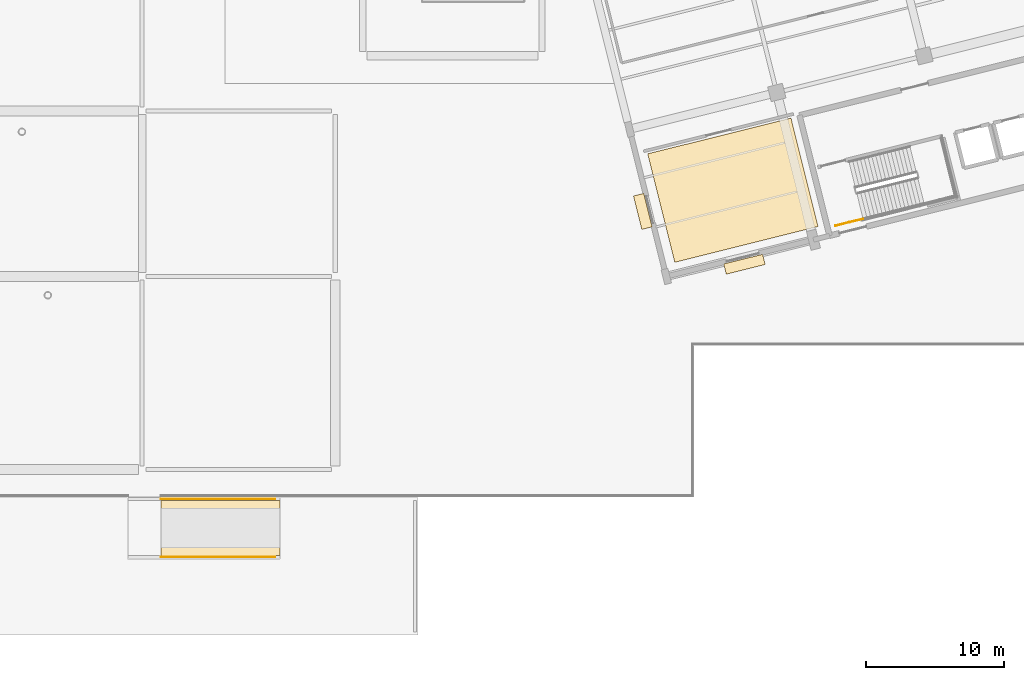
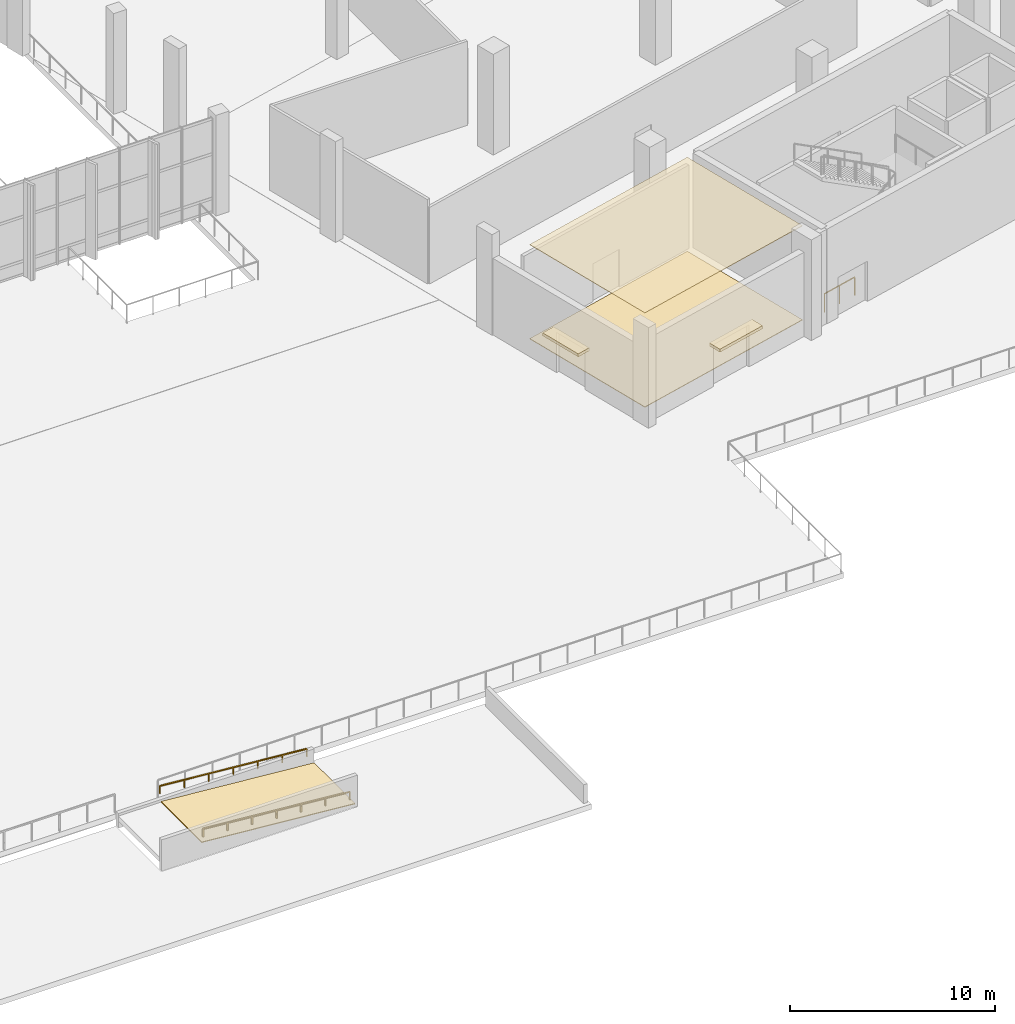
# One storey, part 154 of 163: 5 coverings, 3 railings, 1 element without a shape of its own.
"""IFC4 building model written with IfcOpenShell, lengths in metres."""

from ifc_helpers import new_model, si_unit, direction, frame, origin, origin_2d, place, context, subcontext, project, spatial, polyline, rectangle, outline, extrude, material, layer, layer_set, type_object, element, aggregate, save


model = new_model("IFC4")

# Units and contexts
model_context = context("Model", 3, precision=1e-05, world=origin(), true_north=direction((0.0, 1.0)))
body_context = subcontext(model_context, "Body", "Model", "MODEL_VIEW")
ifc_project = project(units=[si_unit("LENGTHUNIT", "METRE"), si_unit("AREAUNIT", "SQUARE_METRE"), si_unit("VOLUMEUNIT", "CUBIC_METRE"), si_unit("PLANEANGLEUNIT", "RADIAN"), si_unit("MASSUNIT", "GRAM", prefix="KILO")], contexts=[model_context])

# Site, building, storey
site_placement = place(None, origin())
site = spatial("IfcSite", under=ifc_project, at=site_placement, CompositionType="ELEMENT")
building_placement = place(site_placement, origin())
building = spatial("IfcBuilding", under=site, at=building_placement, Name="Khorjan Park Terminus", CompositionType="ELEMENT")
storey_placement = place(building_placement, origin())
storey = spatial("IfcBuildingStorey", under=building, at=storey_placement, Name="L00", CompositionType="ELEMENT", Elevation=0.0)

# Coverings
ifc_material_1 = material(Name="Perforated Acoustic Aluminium Baffle Ceiling", Category="aluminium")
ifc_layer_1 = layer(ifc_material_1, 0.03)
ifc_layer_set_1 = layer_set([ifc_layer_1], Name="Perforated Acoustic Aluminium Baffle Ceiling")
covering_type_1 = type_object("IfcCoveringType", Name="CV-CLG-ACS", PredefinedType="CEILING", material=ifc_layer_set_1)
covering_1_placement = place(storey_placement, frame((0.0, 0.0, 5.615)))
element("IfcCovering", 1, at=covering_1_placement, inside=storey, type_object=covering_type_1, Name="Flush acoustic baffle ceiling AC-60 (L00-FCC)", PredefinedType="CEILING", context=body_context, shape_type="SweptSolid", body=[
    extrude(outline(polyline([(177.0012, 5.619), (166.6191, 3.0304), (164.6596, 10.8898), (175.0417, 13.4783), (177.0012, 5.619)])), origin(), (0.0, 0.0, 1.0), 0.03),
])
ifc_material_2 = material(Name="Exterior Flamed Granite Ramp Paving", Category="masonry")
ifc_layer_2 = layer(ifc_material_2, 0.045)
ifc_layer_set_2 = layer_set([ifc_layer_2], Name="Exterior Flamed Granite Ramp Paving")
covering_type_2 = type_object("IfcCoveringType", Name="CV-FLR-GRNE", PredefinedType="FLOORING", material=ifc_layer_set_2)
covering_2_placement = place(storey_placement, frame((129.36, -18.24, 0.04), z_axis=(0.083045479854, 0.0, 0.996545758245), x_axis=(0.996545758245, 0.0, -0.083045479854)))
element("IfcCovering", 2, at=covering_2_placement, inside=storey, type_object=covering_type_2, Name="Flamed granite ramp wearing surface FF-GRNE (GRMP-S-E)", PredefinedType="FLOORING", context=body_context, shape_type="SweptSolid", body=[
    extrude(outline(polyline([(0.0, 0.0), (8.66994809673044, 0.0), (8.66994809673044, 3.999999999999999), (0.0, 3.999999999999999), (0.0, 0.0)])), origin(), (0.0, 0.0, -1.0), 0.045),
])
ifc_material_3 = material(Name="Polished Desert Limestone Terrazzo", Category="masonry")
ifc_layer_3 = layer(ifc_material_3, 0.035)
ifc_layer_set_3 = layer_set([ifc_layer_3], Name="Polished Desert Limestone Terrazzo")
covering_type_3 = type_object("IfcCoveringType", Name="CV-FLR-TRZ", PredefinedType="FLOORING", material=ifc_layer_set_3)
covering_3_placement = place(storey_placement, origin())
element("IfcCovering", 3, at=covering_3_placement, inside=storey, type_object=covering_type_3, Name="Architectural floor finish FF-TRZ (L00-FCC)", PredefinedType="FLOORING", context=body_context, shape_type="SweptSolid", body=[
    extrude(outline(polyline([(177.0012, 5.619), (166.6191, 3.0304), (164.6596, 10.8898), (175.0417, 13.4783), (177.0012, 5.619)])), origin(), (0.0, 0.0, 1.0), 0.035),
])
ifc_material_4 = material(Name="Pigmented Precast GRC", Category="concrete")
ifc_layer_4 = layer(ifc_material_4, 0.18)
ifc_layer_set_4 = layer_set([ifc_layer_4], Name="Pigmented Precast GRC")
covering_type_4 = type_object("IfcCoveringType", Name="CV-HOOD-GRC", PredefinedType="CLADDING", material=ifc_layer_set_4)
covering_4_placement = place(storey_placement, frame((171.6686, 2.8877, 2.51), z_axis=(0.0, 0.0, 1.0), x_axis=(0.970296811026, 0.241917544864, 0.0)))
element("IfcCovering", 4, at=covering_4_placement, inside=storey, type_object=covering_type_4, Name="Projecting pigmented-GRC entrance canopy hood CL-HD1 (EW-V5-S-L00-B01)", PredefinedType="CLADDING", context=body_context, shape_type="SweptSolid", body=[
    extrude(rectangle(XDim=2.9, YDim=0.76, at=origin_2d()), origin(), (0.0, 0.0, 1.0), 0.18),
])
covering_5_placement = place(storey_placement, frame((164.2993, 6.7133, 2.41), z_axis=(0.0, 0.0, 1.0), x_axis=(0.241912511917, -0.970298065843, 0.0)))
element("IfcCovering", 5, at=covering_5_placement, inside=storey, type_object=covering_type_4, Name="Projecting pigmented-GRC entrance canopy hood CL-HD1 (EW-V5-W-L00-B06)", PredefinedType="CLADDING", context=body_context, shape_type="SweptSolid", body=[
    extrude(rectangle(XDim=2.5, YDim=0.76, at=origin_2d()), origin(), (0.0, 0.0, 1.0), 0.18),
])

# Railing
ifc_material_5 = material(Name="Steel S355", Category="steel")
railing_type_1 = type_object("IfcRailingType", Name="GR-112", PredefinedType="GUARDRAIL", material=ifc_material_5)
railing_1_placement = place(storey_placement, frame((178.2746, 5.6787, 0.0)))
element("IfcRailing", 6, at=railing_1_placement, inside=storey, type_object=railing_type_1, Name="L00 ST-03 stair guard 7", PredefinedType="GUARDRAIL", context=body_context, shape_type="SweptSolid", body=[
    extrude(rectangle(XDim=0.048, YDim=0.048, at=origin_2d()), frame((0.0, 0.0, 1.096), z_axis=(0.97029080484, 0.241941633546, 0.0), x_axis=(-0.241941633546, 0.97029080484, 0.0)), (0.0, 0.0, 1.0), 2.06),
    extrude(rectangle(XDim=0.042, YDim=0.042, at=origin_2d()), origin(), (0.0, 0.0, 1.0), 1.072),
    extrude(rectangle(XDim=0.042, YDim=0.042, at=origin_2d()), frame((0.9994, 0.2492, 0.0)), (0.0, 0.0, 1.0), 1.072),
    extrude(rectangle(XDim=0.042, YDim=0.042, at=origin_2d()), frame((1.9988, 0.4984, 0.0)), (0.0, 0.0, 1.0), 1.072),
])

# Ramp, railings
ifc_material_6 = material(Name="Concrete C40/50", Category="concrete")
ramp_type = type_object("IfcRampType", Name="RMP-ACC-400", PredefinedType="STRAIGHT_RUN_RAMP", material=ifc_material_6)
ramp_placement = place(storey_placement, origin())
ramp = element("IfcRamp", 7, at=ramp_placement, inside=storey, type_object=ramp_type, Name="Accessible 1:12 site-grade approach ramp AR-03", PredefinedType="STRAIGHT_RUN_RAMP")
railing_type_2 = type_object("IfcRailingType", Name="HR-EXT", PredefinedType="HANDRAIL", material=ifc_material_5)
railing_2_placement = place(storey_placement, frame((129.36, -18.35, 0.0)))
railing_2 = element("IfcRailing", 8, at=railing_2_placement, type_object=railing_type_2, Name="Accessible ramp handrail HR-EXT (GRMP-S-E-S)", PredefinedType="HANDRAIL", context=body_context, shape_type="SweptSolid", body=[
    extrude(rectangle(XDim=0.048, YDim=0.048, at=origin_2d()), frame((0.0, 0.0, 0.896), z_axis=(0.996545758245, 0.0, -0.083045479854), x_axis=(0.0, 1.0, 0.0)), (0.0, 0.0, 1.0), 8.3087),
    extrude(rectangle(XDim=0.042, YDim=0.042, at=origin_2d()), frame((0.0, 0.0, 0.442)), (0.0, 0.0, 1.0), 0.43),
    extrude(rectangle(XDim=0.042, YDim=0.042, at=origin_2d()), frame((1.38, 0.0, 0.327)), (0.0, 0.0, 1.0), 0.43),
    extrude(rectangle(XDim=0.042, YDim=0.042, at=origin_2d()), frame((2.76, 0.0, 0.212)), (0.0, 0.0, 1.0), 0.43),
    extrude(rectangle(XDim=0.042, YDim=0.042, at=origin_2d()), frame((4.14, 0.0, 0.097)), (0.0, 0.0, 1.0), 0.43),
    extrude(rectangle(XDim=0.042, YDim=0.042, at=origin_2d()), frame((5.52, 0.0, -0.018)), (0.0, 0.0, 1.0), 0.43),
    extrude(rectangle(XDim=0.042, YDim=0.042, at=origin_2d()), frame((6.9, 0.0, -0.133)), (0.0, 0.0, 1.0), 0.43),
    extrude(rectangle(XDim=0.042, YDim=0.042, at=origin_2d()), frame((8.28, 0.0, -0.248)), (0.0, 0.0, 1.0), 0.43),
])
railing_3_placement = place(storey_placement, frame((129.36, -14.13, 0.0)))
railing_3 = element("IfcRailing", 9, at=railing_3_placement, type_object=railing_type_2, Name="Accessible ramp handrail HR-EXT (GRMP-S-E-N)", PredefinedType="HANDRAIL", context=body_context, shape_type="SweptSolid", body=[
    extrude(rectangle(XDim=0.048, YDim=0.048, at=origin_2d()), frame((0.0, 0.0, 0.896), z_axis=(0.996545758245, 0.0, -0.083045479854), x_axis=(0.0, 1.0, 0.0)), (0.0, 0.0, 1.0), 8.3087),
    extrude(rectangle(XDim=0.042, YDim=0.042, at=origin_2d()), frame((0.0, 0.0, 0.442)), (0.0, 0.0, 1.0), 0.43),
    extrude(rectangle(XDim=0.042, YDim=0.042, at=origin_2d()), frame((1.38, 0.0, 0.327)), (0.0, 0.0, 1.0), 0.43),
    extrude(rectangle(XDim=0.042, YDim=0.042, at=origin_2d()), frame((2.76, 0.0, 0.212)), (0.0, 0.0, 1.0), 0.43),
    extrude(rectangle(XDim=0.042, YDim=0.042, at=origin_2d()), frame((4.14, 0.0, 0.097)), (0.0, 0.0, 1.0), 0.43),
    extrude(rectangle(XDim=0.042, YDim=0.042, at=origin_2d()), frame((5.52, 0.0, -0.018)), (0.0, 0.0, 1.0), 0.43),
    extrude(rectangle(XDim=0.042, YDim=0.042, at=origin_2d()), frame((6.9, 0.0, -0.133)), (0.0, 0.0, 1.0), 0.43),
    extrude(rectangle(XDim=0.042, YDim=0.042, at=origin_2d()), frame((8.28, 0.0, -0.248)), (0.0, 0.0, 1.0), 0.43),
])
aggregate(ramp, [railing_2, railing_3])

save(model, "model.ifc")
